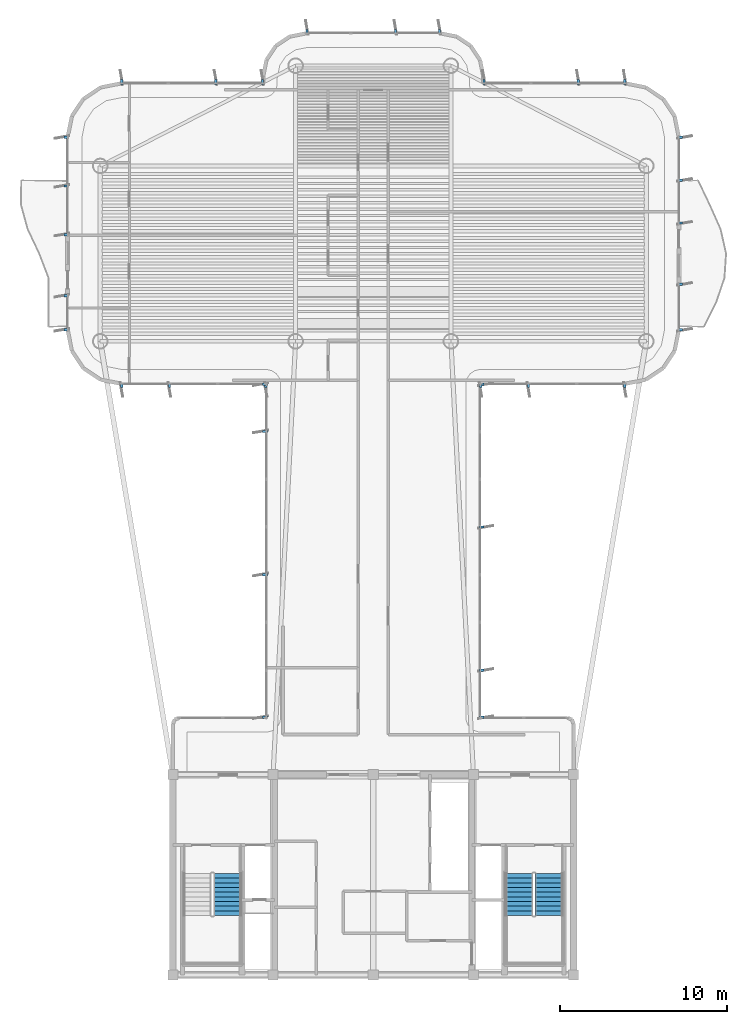
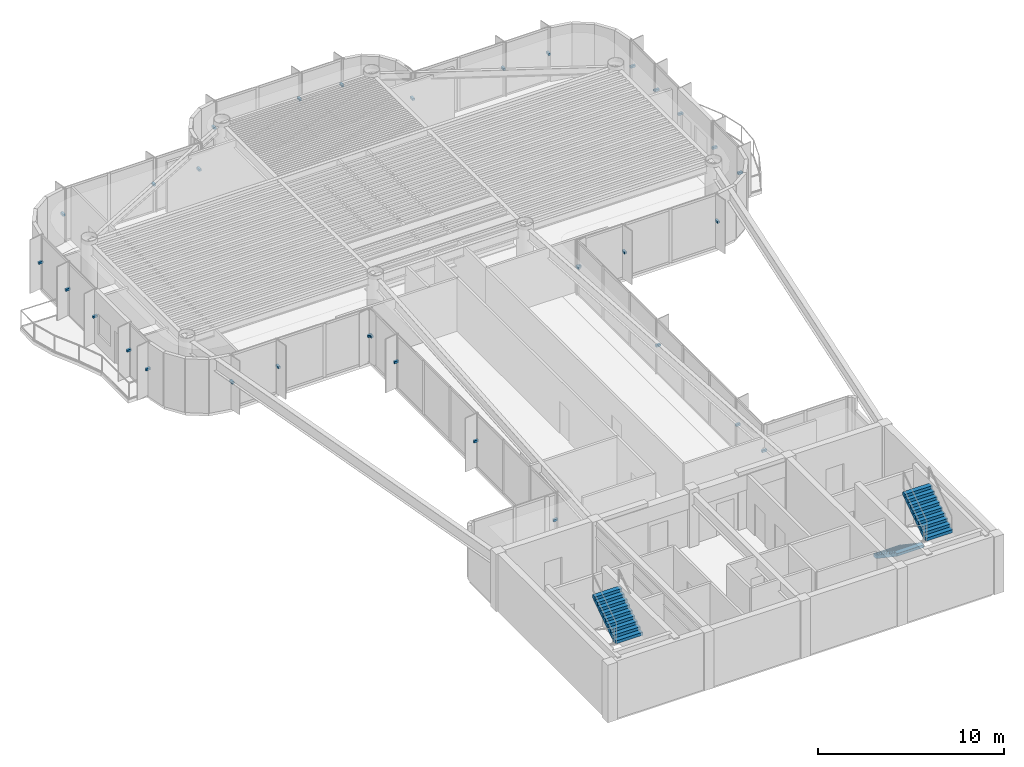
# One storey, part 13 of 15: 33 discrete accessories, 3 stair flights, 2 elements without a shape of their own.
"""IFC4 building model written with IfcOpenShell, lengths in metres."""

from ifc_helpers import new_model, si_unit, direction, frame, origin, origin_2d, place, context, subcontext, project, spatial, polyline, rectangle, outline, extrude, source, transform, mapped, material, type_object, element, aggregate, save


model = new_model("IFC4")

# Units and contexts
model_context = context("Model", 3, precision=1e-05, world=origin(), true_north=direction((0.0, 1.0)))
body_context = subcontext(model_context, "Body", "Model", "MODEL_VIEW")
ifc_project = project(units=[si_unit("LENGTHUNIT", "METRE"), si_unit("AREAUNIT", "SQUARE_METRE"), si_unit("VOLUMEUNIT", "CUBIC_METRE"), si_unit("PLANEANGLEUNIT", "RADIAN"), si_unit("MASSUNIT", "GRAM", prefix="KILO")], contexts=[model_context])

# Site, building, storey
site_placement = place(None, origin())
site = spatial("IfcSite", under=ifc_project, at=site_placement, CompositionType="ELEMENT")
building_placement = place(site_placement, origin())
building = spatial("IfcBuilding", under=site, at=building_placement, Name="Brelvock Crest Care Tower", CompositionType="ELEMENT")
storey_placement = place(building_placement, frame((0.0, 0.0, 283.5)))
storey = spatial("IfcBuildingStorey", under=building, at=storey_placement, Name="L72", CompositionType="ELEMENT", Elevation=283.5)

# Stair, stair flight
ifc_material_1 = material(Name="Concrete N40 (40 MPa)", Category="concrete")
stair_type = type_object("IfcStairType", Name="ST-CORE1", PredefinedType="HALF_TURN_STAIR", material=ifc_material_1)
stair_1_placement = place(storey_placement, origin())
stair_1 = element("IfcStair", 1, at=stair_1_placement, inside=storey, type_object=stair_type, Name="L72 Fire-Isolated Core Stair ST-1", PredefinedType="HALF_TURN_STAIR")
stair_flight_type = type_object("IfcStairFlightType", Name="STF-1", PredefinedType="STRAIGHT", material=ifc_material_1)
stair_flight_1_placement = place(storey_placement, frame((27.27001953125, 9.56005859375, 1.889892578125), z_axis=(0.0, 0.0, 1.0), x_axis=(0.0, 1.0, 0.0)))
stair_flight_1 = element("IfcStairFlight", 2, at=stair_flight_1_placement, type_object=stair_flight_type, Name="ST-1 flight 2", NumberOfRisers=10, NumberOfTreads=9, PredefinedType="STRAIGHT", RiserHeight=0.189, TreadLength=0.28, context=body_context, shape_type="SweptSolid", body=[
    extrude(outline(polyline([(-0.00390625, -0.014892578125), (-0.00390625, -0.0078125), (-0.00390625, -0.00048828125), (-0.00390625, 0.0068359375), (-0.00390625, 0.01416015625), (-0.00390625, 0.021484375), (-0.00390625, 0.02880859375), (-0.00390625, 0.035888671875), (-0.00390625, 0.043212890625), (-0.00390625, 0.050537109375), (-0.00390625, 0.057861328125), (-0.00390625, 0.065185546875), (-0.00390625, 0.072509765625), (-0.00390625, 0.07958984375), (-0.00390625, 0.0869140625), (-0.00390625, 0.09423828125), (-0.00390625, 0.1015625), (-0.00390625, 0.10888671875), (-0.00390625, 0.1162109375), (-0.00390625, 0.12353515625), (-0.00390625, 0.130615234375), (-0.00390625, 0.137939453125), (-0.00390625, 0.145263671875), (-0.00390625, 0.152587890625), (-0.00390625, 0.159912109375), (-0.00390625, 0.167236328125), (-0.00390625, 0.17431640625), (-0.00390625, 0.181640625), (-0.00390625, 0.18896484375), (0.0, 0.18896484375), (0.280029296875, 0.18896484375), (0.280029296875, 0.3779296875), (0.56005859375, 0.3779296875), (0.56005859375, 0.56689453125), (0.840087890625, 0.56689453125), (0.840087890625, 0.756103515625), (1.1201171875, 0.756103515625), (1.1201171875, 0.945068359375), (1.39990234375, 0.945068359375), (1.39990234375, 1.134033203125), (1.679931640625, 1.134033203125), (1.679931640625, 1.322998046875), (1.9599609375, 1.322998046875), (1.9599609375, 1.511962890625), (2.239990234375, 1.511962890625), (2.239990234375, 1.700927734375), (2.52001953125, 1.700927734375), (2.52392578125, 1.700927734375), (2.523681640625, 1.70068359375), (2.52392578125, 1.700439453125), (2.523681640625, 1.699951171875), (2.52392578125, 1.69970703125), (2.523681640625, 1.699462890625), (2.52392578125, 1.698974609375), (2.523681640625, 1.69873046875), (2.52392578125, 1.698486328125), (2.523681640625, 1.697998046875), (2.52392578125, 1.69775390625), (2.523681640625, 1.697509765625), (2.52392578125, 1.697021484375), (2.523681640625, 1.69677734375), (2.52392578125, 1.696533203125), (2.523681640625, 1.6962890625), (2.52392578125, 1.69580078125), (2.523681640625, 1.695556640625), (2.52392578125, 1.6953125), (2.523681640625, 1.69482421875), (2.52392578125, 1.694580078125), (2.523681640625, 1.6943359375), (2.52392578125, 1.69384765625), (2.523681640625, 1.693603515625), (2.52392578125, 1.693359375), (2.523681640625, 1.69287109375), (2.52392578125, 1.692626953125), (2.523681640625, 1.6923828125), (2.52392578125, 1.69189453125), (2.52001953125, 1.520263671875), (0.267822265625, 0.0), (0.0, 0.0), (0.0, -0.014892578125), (-0.00390625, -0.014892578125)])), frame((0.0, 0.83984375, 0.0), z_axis=(0.0, -1.0, 0.0), x_axis=(1.0, 0.0, 0.0)), (0.0, 0.0, 1.0), 1.679931640625),
])
aggregate(stair_1, [stair_flight_1])

# Stair, stair flights
stair_2_placement = place(storey_placement, origin())
stair_2 = element("IfcStair", 3, at=stair_2_placement, inside=storey, type_object=stair_type, Name="L72 Fire-Isolated Core Stair ST-2", PredefinedType="HALF_TURN_STAIR")
stair_flight_2_placement = place(storey_placement, frame((44.72998046875, 12.080078125, 0.0), z_axis=(0.0, 0.0, 1.0), x_axis=(0.0, -1.0, 0.0)))
stair_flight_2 = element("IfcStairFlight", 4, at=stair_flight_2_placement, type_object=stair_flight_type, Name="ST-2 flight 1", NumberOfRisers=10, NumberOfTreads=9, PredefinedType="STRAIGHT", RiserHeight=0.189, TreadLength=0.28, context=body_context, shape_type="SweptSolid", body=[
    extrude(outline(polyline([(-0.00390625, -0.014892578125), (-0.00390625, -0.0078125), (-0.00390625, -0.00048828125), (-0.00390625, 0.0068359375), (-0.00390625, 0.01416015625), (-0.00390625, 0.021484375), (-0.00390625, 0.02880859375), (-0.00390625, 0.035888671875), (-0.00390625, 0.043212890625), (-0.00390625, 0.050537109375), (-0.00390625, 0.057861328125), (-0.00390625, 0.065185546875), (-0.00390625, 0.072509765625), (-0.00390625, 0.07958984375), (-0.00390625, 0.0869140625), (-0.00390625, 0.09423828125), (-0.00390625, 0.1015625), (-0.00390625, 0.10888671875), (-0.00390625, 0.1162109375), (-0.00390625, 0.12353515625), (-0.00390625, 0.130615234375), (-0.00390625, 0.137939453125), (-0.00390625, 0.145263671875), (-0.00390625, 0.152587890625), (-0.00390625, 0.159912109375), (-0.00390625, 0.167236328125), (-0.00390625, 0.17431640625), (-0.00390625, 0.181640625), (-0.00390625, 0.18896484375), (0.0, 0.18896484375), (0.280029296875, 0.18896484375), (0.280029296875, 0.3779296875), (0.56005859375, 0.3779296875), (0.56005859375, 0.56689453125), (0.840087890625, 0.56689453125), (0.840087890625, 0.756103515625), (1.1201171875, 0.756103515625), (1.1201171875, 0.945068359375), (1.39990234375, 0.945068359375), (1.39990234375, 1.134033203125), (1.679931640625, 1.134033203125), (1.679931640625, 1.322998046875), (1.9599609375, 1.322998046875), (1.9599609375, 1.511962890625), (2.239990234375, 1.511962890625), (2.239990234375, 1.700927734375), (2.52001953125, 1.700927734375), (2.52392578125, 1.700927734375), (2.523681640625, 1.70068359375), (2.52392578125, 1.700439453125), (2.523681640625, 1.699951171875), (2.52392578125, 1.69970703125), (2.523681640625, 1.699462890625), (2.52392578125, 1.698974609375), (2.523681640625, 1.69873046875), (2.52392578125, 1.698486328125), (2.523681640625, 1.697998046875), (2.52392578125, 1.69775390625), (2.523681640625, 1.697509765625), (2.52392578125, 1.697021484375), (2.523681640625, 1.69677734375), (2.52392578125, 1.696533203125), (2.523681640625, 1.6962890625), (2.52392578125, 1.69580078125), (2.523681640625, 1.695556640625), (2.52392578125, 1.6953125), (2.523681640625, 1.69482421875), (2.52392578125, 1.694580078125), (2.523681640625, 1.6943359375), (2.52392578125, 1.69384765625), (2.523681640625, 1.693603515625), (2.52392578125, 1.693359375), (2.523681640625, 1.69287109375), (2.52392578125, 1.692626953125), (2.523681640625, 1.6923828125), (2.52392578125, 1.69189453125), (2.52001953125, 1.520263671875), (0.267822265625, 0.0), (0.0, 0.0), (0.0, -0.014892578125), (-0.00390625, -0.014892578125)])), frame((0.0, 0.83984375, 0.0), z_axis=(0.0, -1.0, 0.0), x_axis=(1.0, 0.0, 0.0)), (0.0, 0.0, 1.0), 1.679931640625),
])
stair_flight_3_placement = place(storey_placement, frame((46.530029296875, 9.56005859375, 1.889892578125), z_axis=(0.0, 0.0, 1.0), x_axis=(0.0, 1.0, 0.0)))
stair_flight_3 = element("IfcStairFlight", 5, at=stair_flight_3_placement, type_object=stair_flight_type, Name="ST-2 flight 2", NumberOfRisers=10, NumberOfTreads=9, PredefinedType="STRAIGHT", RiserHeight=0.189, TreadLength=0.28, context=body_context, shape_type="SweptSolid", body=[
    extrude(outline(polyline([(-0.00390625, -0.014892578125), (-0.00390625, -0.0078125), (-0.00390625, -0.00048828125), (-0.00390625, 0.0068359375), (-0.00390625, 0.01416015625), (-0.00390625, 0.021484375), (-0.00390625, 0.02880859375), (-0.00390625, 0.035888671875), (-0.00390625, 0.043212890625), (-0.00390625, 0.050537109375), (-0.00390625, 0.057861328125), (-0.00390625, 0.065185546875), (-0.00390625, 0.072509765625), (-0.00390625, 0.07958984375), (-0.00390625, 0.0869140625), (-0.00390625, 0.09423828125), (-0.00390625, 0.1015625), (-0.00390625, 0.10888671875), (-0.00390625, 0.1162109375), (-0.00390625, 0.12353515625), (-0.00390625, 0.130615234375), (-0.00390625, 0.137939453125), (-0.00390625, 0.145263671875), (-0.00390625, 0.152587890625), (-0.00390625, 0.159912109375), (-0.00390625, 0.167236328125), (-0.00390625, 0.17431640625), (-0.00390625, 0.181640625), (-0.00390625, 0.18896484375), (0.0, 0.18896484375), (0.280029296875, 0.18896484375), (0.280029296875, 0.3779296875), (0.56005859375, 0.3779296875), (0.56005859375, 0.56689453125), (0.840087890625, 0.56689453125), (0.840087890625, 0.756103515625), (1.1201171875, 0.756103515625), (1.1201171875, 0.945068359375), (1.39990234375, 0.945068359375), (1.39990234375, 1.134033203125), (1.679931640625, 1.134033203125), (1.679931640625, 1.322998046875), (1.9599609375, 1.322998046875), (1.9599609375, 1.511962890625), (2.239990234375, 1.511962890625), (2.239990234375, 1.700927734375), (2.52001953125, 1.700927734375), (2.52392578125, 1.700927734375), (2.523681640625, 1.70068359375), (2.52392578125, 1.700439453125), (2.523681640625, 1.699951171875), (2.52392578125, 1.69970703125), (2.523681640625, 1.699462890625), (2.52392578125, 1.698974609375), (2.523681640625, 1.69873046875), (2.52392578125, 1.698486328125), (2.523681640625, 1.697998046875), (2.52392578125, 1.69775390625), (2.523681640625, 1.697509765625), (2.52392578125, 1.697021484375), (2.523681640625, 1.69677734375), (2.52392578125, 1.696533203125), (2.523681640625, 1.6962890625), (2.52392578125, 1.69580078125), (2.523681640625, 1.695556640625), (2.52392578125, 1.6953125), (2.523681640625, 1.69482421875), (2.52392578125, 1.694580078125), (2.523681640625, 1.6943359375), (2.52392578125, 1.69384765625), (2.523681640625, 1.693603515625), (2.52392578125, 1.693359375), (2.523681640625, 1.69287109375), (2.52392578125, 1.692626953125), (2.523681640625, 1.6923828125), (2.52392578125, 1.69189453125), (2.52001953125, 1.520263671875), (0.267822265625, 0.0), (0.0, 0.0), (0.0, -0.014892578125), (-0.00390625, -0.014892578125)])), frame((0.0, 0.83984375, 0.0), z_axis=(0.0, -1.0, 0.0), x_axis=(1.0, 0.0, 0.0)), (0.0, 0.0, 1.0), 1.679931640625),
])
aggregate(stair_2, [stair_flight_2, stair_flight_3])

# Discrete accessories
ifc_material_2 = material(Name="Steel Grade 350", Category="steel")
discrete_accessory_type = type_object("IfcDiscreteAccessoryType", Name="ACC-BRK1", PredefinedType="BRACKET", material=ifc_material_2)
shared_shape = source(origin(), body_context, "Body", "SweptSolid", [
    extrude(rectangle(XDim=0.280029296875, YDim=0.139892578125, at=origin_2d()), origin(), (0.0, 0.0, 1.0), 0.139892578125),
])
for number, where, z_axis, x_axis, name in (
    (6, (29.52001953125, 21.429931640625, 1.69482421875), (0.0, 0.0, 1.0), (-1.0, 0.0, 0.0), "L72 Facade Fin Bracket E11-01"),
    (7, (29.52001953125, 29.971435546875, 1.69482421875), (0.0, 0.0, 1.0), (-1.0, 0.0, 0.0), "L72 Facade Fin Bracket E11-04"),
    (8, (29.52001953125, 38.54296875, 1.69482421875), (0.0, 0.0, 1.0), (-1.0, 0.0, 0.0), "L72 Facade Fin Bracket E11-07"),
    (9, (29.52001953125, 41.3701171875, 1.69482421875), (0.0, 0.0, 1.0), (-1.0, 0.0, 0.0), "L72 Facade Fin Bracket E11-08"),
    (10, (29.570068359375, 41.320068359375, 1.69482421875), (0.0, 0.0, 1.0), (0.0, -1.0, 0.0), "L72 Facade Fin Bracket E12-01"),
    (11, (23.800048828125, 41.320068359375, 1.69482421875), (0.0, 0.0, 1.0), (0.0, -1.0, 0.0), "L72 Facade Fin Bracket E12-03"),
    (12, (20.929931640625, 41.320068359375, 1.69482421875), (0.0, 0.0, 1.0), (0.0, -1.0, 0.0), "L72 Facade Fin Bracket E12-04"),
    (13, (17.6201171875, 44.6298828125, 1.69482421875), (0.0, 0.0, 1.0), (-1.0, 0.0, 0.0), "L72 Facade Fin Bracket E17A-01"),
    (14, (17.6201171875, 46.669921875, 1.69482421875), (0.0, 0.0, 1.0), (-1.0, 0.0, 0.0), "L72 Facade Fin Bracket E17A-02"),
    (15, (17.6201171875, 50.330078125, 1.69482421875), (0.0, 0.0, 1.0), (-1.0, 0.0, 0.0), "L72 Facade Fin Bracket E17B-01"),
    (16, (17.6201171875, 53.25, 1.69482421875), (0.0, 0.0, 1.0), (-1.0, 0.0, 0.0), "L72 Facade Fin Bracket E17B-02"),
    (17, (17.6201171875, 56.169921875, 1.69482421875), (0.0, 0.0, 1.0), (-1.0, 0.0, 0.0), "L72 Facade Fin Bracket E17B-03"),
    (18, (20.929931640625, 59.47998046875, 1.69482421875), (0.0, 0.0, 1.0), (0.0, 1.0, 0.0), "L72 Facade Fin Bracket E22-01"),
    (19, (26.566650390625, 59.47998046875, 1.69482421875), (0.0, 0.0, 1.0), (0.0, 1.0, 0.0), "L72 Facade Fin Bracket E22-03"),
    (20, (29.3701171875, 59.47998046875, 1.69482421875), (0.0, 0.0, 1.0), (0.0, 1.0, 0.0), "L72 Facade Fin Bracket E22-04"),
    (21, (32.030029296875, 62.47998046875, 1.69482421875), (0.0, 0.0, 1.0), (0.0, 1.0, 0.0), "L72 Facade Fin Bracket E28-01"),
    (22, (37.333251953125, 62.47998046875, 1.69482421875), (0.0, 0.0, 1.0), (0.0, 1.0, 0.0), "L72 Facade Fin Bracket E28-03"),
    (23, (39.969970703125, 62.47998046875, 1.69482421875), (0.0, 0.0, 1.0), (0.0, 1.0, 0.0), "L72 Facade Fin Bracket E28-04"),
    (24, (42.6298828125, 59.47998046875, 1.69482421875), (0.0, 0.0, 1.0), (0.0, 1.0, 0.0), "L72 Facade Fin Bracket E34-01"),
    (25, (48.2666015625, 59.47998046875, 1.69482421875), (0.0, 0.0, 1.0), (0.0, 1.0, 0.0), "L72 Facade Fin Bracket E34-03"),
    (26, (51.070068359375, 59.47998046875, 1.69482421875), (0.0, 0.0, 1.0), (0.0, 1.0, 0.0), "L72 Facade Fin Bracket E34-04"),
    (27, (54.3798828125, 56.169921875, 1.69482421875), (0.0, 0.0, 1.0), (1.0, 0.0, 0.0), "L72 Facade Fin Bracket E39A-01"),
    (28, (54.3798828125, 53.60009765625, 1.69482421875), (0.0, 0.0, 1.0), (1.0, 0.0, 0.0), "L72 Facade Fin Bracket E39A-02"),
    (29, (54.3798828125, 51.030029296875, 1.69482421875), (0.0, 0.0, 1.0), (1.0, 0.0, 0.0), "L72 Facade Fin Bracket E39A-03"),
    (30, (54.3798828125, 47.3701171875, 1.69482421875), (0.0, 0.0, 1.0), (1.0, 0.0, 0.0), "L72 Facade Fin Bracket E39B-01"),
    (31, (54.3798828125, 44.6298828125, 1.69482421875), (0.0, 0.0, 1.0), (1.0, 0.0, 0.0), "L72 Facade Fin Bracket E39B-02"),
    (32, (51.070068359375, 41.320068359375, 1.69482421875), (0.0, 0.0, 1.0), (0.0, -1.0, 0.0), "L72 Facade Fin Bracket E44-01"),
    (33, (45.300048828125, 41.320068359375, 1.69482421875), (0.0, 0.0, 1.0), (0.0, -1.0, 0.0), "L72 Facade Fin Bracket E44-03"),
    (34, (42.429931640625, 41.320068359375, 1.69482421875), (0.0, 0.0, 1.0), (0.0, -1.0, 0.0), "L72 Facade Fin Bracket E44-04"),
    (35, (42.47998046875, 41.3701171875, 1.69482421875), (0.0, 0.0, 1.0), (1.0, 0.0, 0.0), "L72 Facade Fin Bracket E45-01"),
    (36, (42.47998046875, 32.82861328125, 1.69482421875), (0.0, 0.0, 1.0), (1.0, 0.0, 0.0), "L72 Facade Fin Bracket E45-04"),
    (37, (42.47998046875, 24.257080078125, 1.69482421875), (0.0, 0.0, 1.0), (1.0, 0.0, 0.0), "L72 Facade Fin Bracket E45-07"),
    (38, (42.47998046875, 21.429931640625, 1.69482421875), (0.0, 0.0, 1.0), (1.0, 0.0, 0.0), "L72 Facade Fin Bracket E45-08"),
):
    element("IfcDiscreteAccessory", number, at=place(storey_placement, frame(where, z_axis=z_axis, x_axis=x_axis)), inside=storey, type_object=discrete_accessory_type, Name=name, PredefinedType="BRACKET", context=body_context, shape_type="MappedRepresentation", body=[
        mapped(shared_shape, transform((0.0, 0.0, 0.0), x_axis=(1.0, 0.0, 0.0), y_axis=(0.0, 1.0, 0.0), z_axis=(0.0, 0.0, 1.0), scale=1.0)),
    ])

save(model, "model.ifc")
